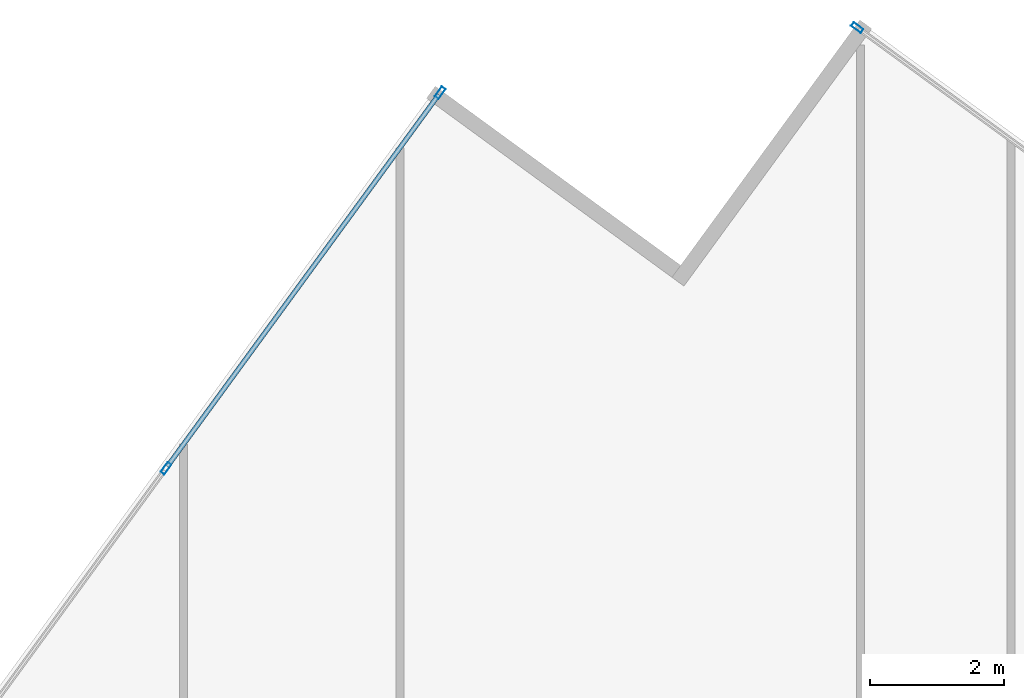
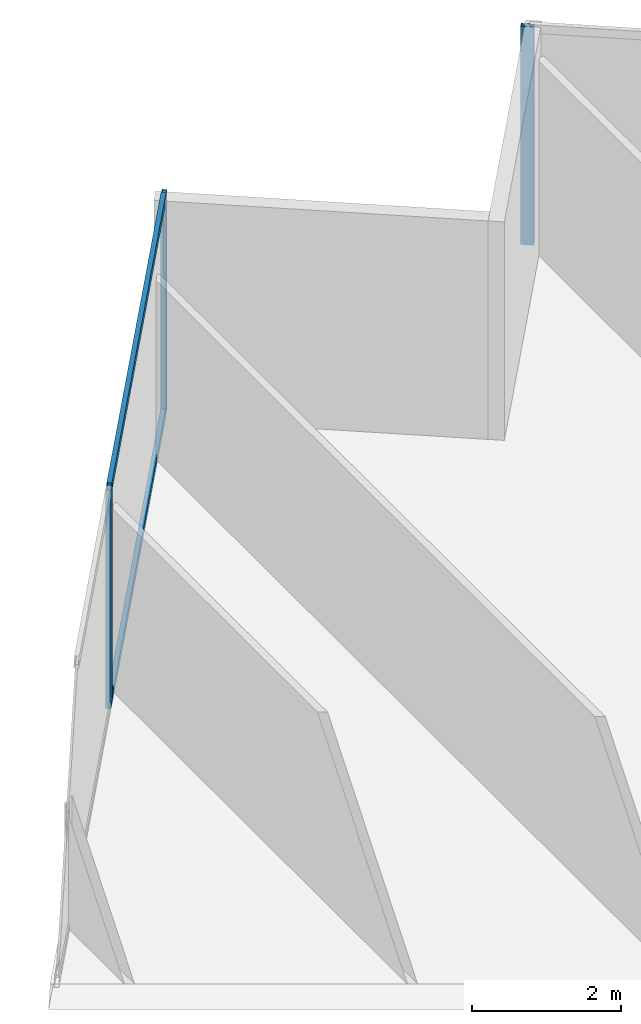
# One storey, part 15 of 25: 5 members, 2 elements without a shape of their own.
"""IFC4 building model written with IfcOpenShell, lengths in metres."""

from ifc_helpers import new_model, si_unit, direction, frame, origin, origin_2d, place, context, subcontext, project, spatial, hollow_rectangle, extrude, source, transform, mapped, material, material_profile, profile_set, type_object, type_shapes, element, aggregate, save


model = new_model("IFC4")

# Units and contexts
model_context = context("Model", 3, precision=1e-05, world=origin(), true_north=direction((0.0, 1.0)))
body_context = subcontext(model_context, "Body", "Model", "MODEL_VIEW")
ifc_project = project(units=[si_unit("LENGTHUNIT", "METRE"), si_unit("AREAUNIT", "SQUARE_METRE"), si_unit("VOLUMEUNIT", "CUBIC_METRE"), si_unit("PLANEANGLEUNIT", "RADIAN"), si_unit("MASSUNIT", "GRAM", prefix="KILO")], contexts=[model_context])

# Site, building, storey
site_placement = place(None, origin())
site = spatial("IfcSite", under=ifc_project, at=site_placement, CompositionType="ELEMENT")
building_placement = place(site_placement, origin())
building = spatial("IfcBuilding", under=site, at=building_placement, Name="Krantzveldt Concourse Tower", CompositionType="ELEMENT")
storey_placement = place(building_placement, frame((0.0, 0.0, 197.550048828125)))
storey = spatial("IfcBuildingStorey", under=building, at=storey_placement, Name="L48", CompositionType="ELEMENT", Elevation=197.550048828125)

# Curtain wall, members
ifc_material = material(Name="Anodised aluminium 6063-T6", Category="aluminium")
curtain_wall_type = type_object("IfcCurtainWallType", Name="CW3", PredefinedType="USERDEFINED", material=ifc_material)
curtain_wall_1_placement = place(storey_placement, origin())
curtain_wall_1 = element("IfcCurtainWall", 1, at=curtain_wall_1_placement, inside=storey, type_object=curtain_wall_type, Name="CW-L48-F01", ObjectType="UNITISED CURTAIN WALL", PredefinedType="USERDEFINED")
ifc_material_profile_1 = material_profile(ifc_material, hollow_rectangle(XDim=0.070068359375, YDim=0.179931640625, WallThickness=0.0048828125, at=origin_2d()), Name="Anodised aluminium 6063-T6", Category="aluminium")
ifc_profile_set_1 = profile_set([ifc_material_profile_1], Name="Anodised aluminium 6063-T6 - ALU-MULL 180x70x5")
member_type_1 = type_object("IfcMemberType", Name="CW-MUL-180", PredefinedType="MULLION", material=ifc_profile_set_1)
shared_shape_1 = source(origin(), body_context, "Body", "SweptSolid", [
    extrude(hollow_rectangle(XDim=0.070068359375, YDim=0.179931640625, WallThickness=0.0048828125, at=origin_2d()), origin(), (0.0, 0.0, 1.0), 3.58984375),
])
type_shapes(member_type_1, [shared_shape_1])
member_1_placement = place(storey_placement, frame((28.620849609375, 53.584228515625, 0.0), z_axis=(0.0, 0.0, 1.0), x_axis=(0.807732735781, -0.589548833895, 0.0)))
member_1 = element("IfcMember", 2, at=member_1_placement, type_object=member_type_1, Name="CW-Z34 mullion 1", PredefinedType="MULLION", context=body_context, shape_type="MappedRepresentation", body=[
    mapped(shared_shape_1, transform((0.0, 0.0, 0.0), x_axis=(1.0, 0.0, 0.0), y_axis=(0.0, 1.0, 0.0), z_axis=(0.0, 0.0, 1.0), scale=1.0)),
])
member_2_placement = place(storey_placement, frame((24.538330078125, 47.99072265625, 0.0), z_axis=(0.0, 0.0, 1.0), x_axis=(0.807732735781, -0.589548833895, 0.0)))
member_2 = element("IfcMember", 3, at=member_2_placement, type_object=member_type_1, Name="CW-Z34 mullion 2", PredefinedType="MULLION", context=body_context, shape_type="MappedRepresentation", body=[
    mapped(shared_shape_1, transform((0.0, 0.0, 0.0), x_axis=(1.0, 0.0, 0.0), y_axis=(0.0, 1.0, 0.0), z_axis=(0.0, 0.0, 1.0), scale=1.0)),
])

# Curtain wall, member
curtain_wall_2_placement = place(storey_placement, origin())
curtain_wall_2 = element("IfcCurtainWall", 4, at=curtain_wall_2_placement, inside=storey, type_object=curtain_wall_type, Name="CW-L48-F10", ObjectType="UNITISED CURTAIN WALL", PredefinedType="USERDEFINED")
member_3_placement = place(storey_placement, frame((34.831787109375, 54.55419921875, 0.0), z_axis=(0.0, 0.0, 1.0), x_axis=(-0.589548833895, -0.807732735781, 0.0)))
member_3 = element("IfcMember", 5, at=member_3_placement, type_object=member_type_1, Name="CW-Z34 mullion 6", PredefinedType="MULLION", context=body_context, shape_type="MappedRepresentation", body=[
    mapped(shared_shape_1, transform((0.0, 0.0, 0.0), x_axis=(1.0, 0.0, 0.0), y_axis=(0.0, 1.0, 0.0), z_axis=(0.0, 0.0, 1.0), scale=1.0)),
])
aggregate(curtain_wall_2, [member_3])

# Member
ifc_material_profile_2 = material_profile(ifc_material, hollow_rectangle(XDim=0.070068359375, YDim=0.139892578125, WallThickness=0.0048828125, at=origin_2d()), Name="Anodised aluminium 6063-T6", Category="aluminium")
ifc_profile_set_2 = profile_set([ifc_material_profile_2], Name="Anodised aluminium 6063-T6 - ALU-TRAN 140x70x5")
member_type_2 = type_object("IfcMemberType", Name="CW-TRN-150", PredefinedType="USERDEFINED", material=ifc_profile_set_2)
shared_shape_2 = source(origin(), body_context, "Body", "SweptSolid", [
    extrude(hollow_rectangle(XDim=0.070068359375, YDim=0.139892578125, WallThickness=0.0048828125, at=origin_2d()), origin(), (0.0, 0.0, 1.0), 6.855224609375),
])
type_shapes(member_type_2, [shared_shape_2])
member_4_placement = place(storey_placement, frame((28.600341796875, 53.55615234375, 0.034912109375), z_axis=(-0.589555742344, -0.80772769339, 0.0), x_axis=(0.80772769339, -0.589555742344, 0.0)))
member_4 = element("IfcMember", 6, at=member_4_placement, type_object=member_type_2, Name="CW-Z34 transom 1.1", ObjectType="TRANSOM", PredefinedType="USERDEFINED", context=body_context, shape_type="MappedRepresentation", body=[
    mapped(shared_shape_2, transform((0.0, 0.0, 0.0), x_axis=(1.0, 0.0, 0.0), y_axis=(0.0, 1.0, 0.0), z_axis=(0.0, 0.0, 1.0), scale=1.0)),
])

member_5_placement = place(storey_placement, frame((28.600341796875, 53.55615234375, 3.554931640625), z_axis=(-0.589555742344, -0.80772769339, 0.0), x_axis=(0.80772769339, -0.589555742344, 0.0)))
member_5 = element("IfcMember", 7, at=member_5_placement, type_object=member_type_2, Name="CW-Z34 transom 1.2", ObjectType="TRANSOM", PredefinedType="USERDEFINED", context=body_context, shape_type="MappedRepresentation", body=[
    mapped(shared_shape_2, transform((0.0, 0.0, 0.0), x_axis=(1.0, 0.0, 0.0), y_axis=(0.0, 1.0, 0.0), z_axis=(0.0, 0.0, 1.0), scale=1.0)),
])

aggregate(curtain_wall_1, [member_1, member_2, member_4, member_5])

save(model, "model.ifc")
